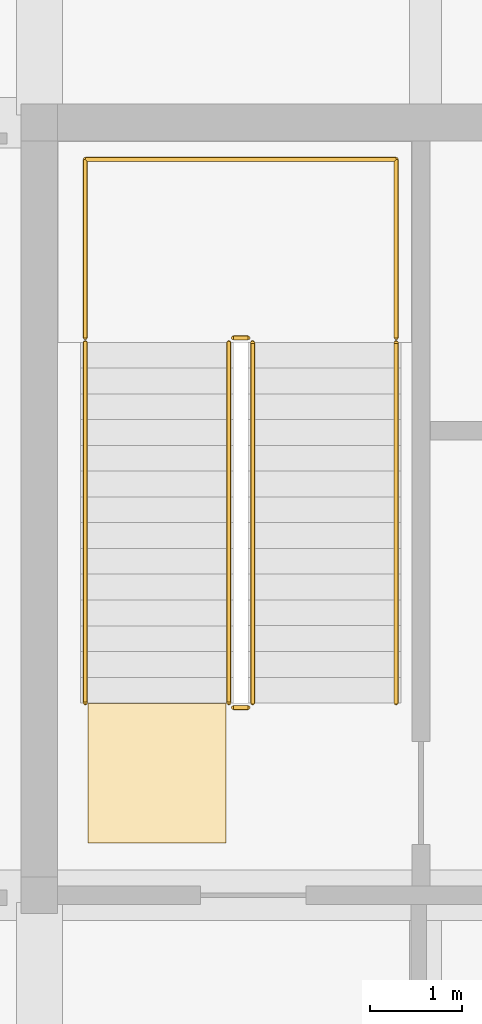
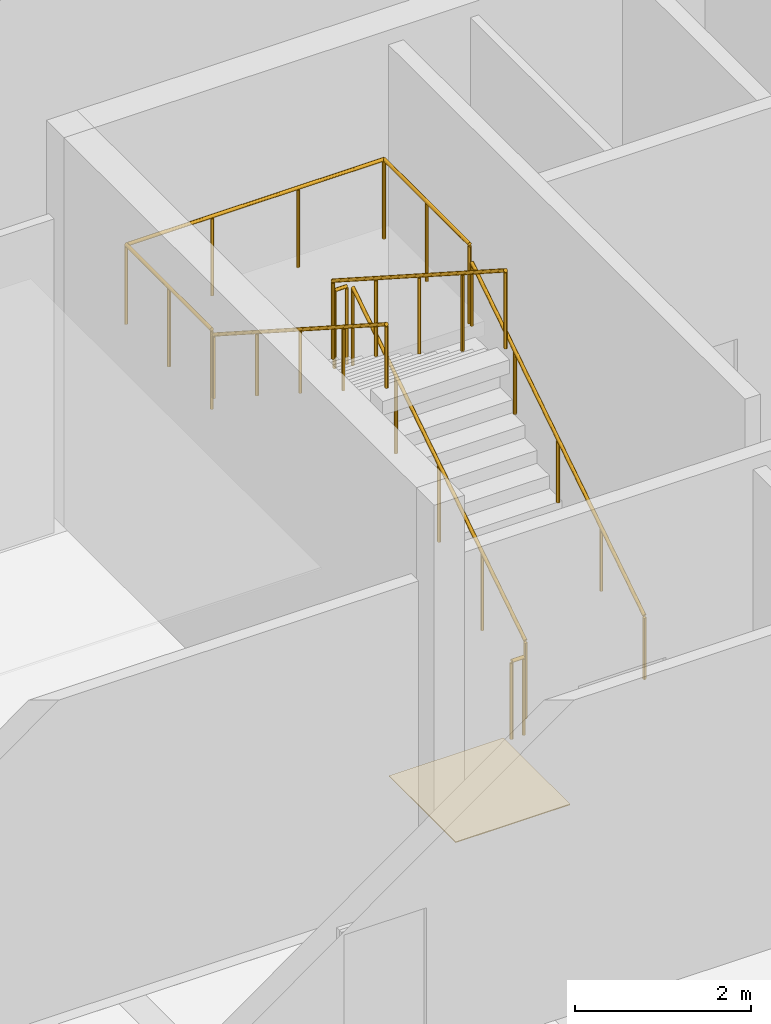
# One storey, part 103 of 140: 7 railings, 1 covering.
"""IFC4 building model written with IfcOpenShell, lengths in metres."""

from ifc_helpers import new_model, si_unit, direction, frame, origin, origin_2d, place, context, subcontext, project, spatial, polyline, circle, outline, extrude, material, layer, layer_set, type_object, element, save


model = new_model("IFC4")

# Units and contexts
model_context = context("Model", 3, precision=1e-05, world=origin(), true_north=direction((0.0, 1.0)))
body_context = subcontext(model_context, "Body", "Model", "MODEL_VIEW")
ifc_project = project(units=[si_unit("LENGTHUNIT", "METRE"), si_unit("AREAUNIT", "SQUARE_METRE"), si_unit("VOLUMEUNIT", "CUBIC_METRE"), si_unit("PLANEANGLEUNIT", "RADIAN"), si_unit("MASSUNIT", "GRAM", prefix="KILO")], contexts=[model_context])

# Site, building, storey
site_placement = place(None, origin())
site = spatial("IfcSite", under=ifc_project, at=site_placement, CompositionType="ELEMENT")
building_placement = place(site_placement, origin())
building = spatial("IfcBuilding", under=site, at=building_placement, Name="Telukmera Botanical Conservatory", CompositionType="ELEMENT")
storey_placement = place(building_placement, origin())
storey = spatial("IfcBuildingStorey", under=building, at=storey_placement, Name="L00", CompositionType="ELEMENT", Elevation=0.0)

# Covering
ifc_material_1 = material(Name="Honed granite non-slip flooring", Category="masonry")
ifc_layer = layer(ifc_material_1, 0.011962890625)
ifc_layer_set = layer_set([ifc_layer], Name="Honed granite non-slip flooring")
covering_type = type_object("IfcCoveringType", Name="COV-FLR-12", PredefinedType="FLOORING", material=ifc_layer_set)
covering_placement = place(storey_placement, origin())
element("IfcCovering", 1, at=covering_placement, inside=storey, type_object=covering_type, Name="L00 ST1 Non-Slip Stair Landing Finish", PredefinedType="FLOORING", context=body_context, shape_type="SweptSolid", body=[
    extrude(outline(polyline([(60.830078125, 26.570068359375), (60.830078125, 28.0849609375), (59.330078125, 28.0849609375), (59.330078125, 26.570068359375), (60.830078125, 26.570068359375)])), origin(), (0.0, 0.0, 1.0), 0.011962890625),
])

# Railings
ifc_material_2 = material(Name="Steel S355", Category="steel")
railing_type_1 = type_object("IfcRailingType", Name="RL-GUARD-1100", PredefinedType="GUARDRAIL", material=ifc_material_2)
railing_1_placement = place(storey_placement, frame((61.1201171875, 28.090087890625, 0.179931640625)))
element("IfcRailing", 2, at=railing_1_placement, inside=storey, type_object=railing_type_1, Name="L00 ST1 stair guard 1", PredefinedType="GUARDRAIL", context=body_context, shape_type="SweptSolid", body=[
    extrude(circle(Radius=0.02392578125, at=origin_2d()), frame((0.0, 0.0, 1.076171875), z_axis=(0.0, 0.841171666519, 0.540768182723), x_axis=(-1.0, 0.0, 0.0)), (0.0, 0.0, 1.0), 4.66015625),
    extrude(circle(Radius=0.02099609375, at=origin_2d()), origin(), (0.0, 0.0, 1.0), 1.052001953125),
    extrude(circle(Radius=0.02099609375, at=origin_2d()), frame((0.0, 0.97998046875, 0.6298828125)), (0.0, 0.0, 1.0), 1.052001953125),
    extrude(circle(Radius=0.02099609375, at=origin_2d()), frame((0.0, 1.9599609375, 1.260009765625)), (0.0, 0.0, 1.0), 1.052001953125),
    extrude(circle(Radius=0.02099609375, at=origin_2d()), frame((0.0, 2.93994140625, 1.89013671875)), (0.0, 0.0, 1.0), 1.052001953125),
    extrude(circle(Radius=0.02099609375, at=origin_2d()), frame((0.0, 3.919921875, 2.52001953125)), (0.0, 0.0, 1.0), 1.052001953125),
])
railing_2_placement = place(storey_placement, frame((61.070068359375, 32.06005859375, 2.699951171875)))
element("IfcRailing", 3, at=railing_2_placement, inside=storey, type_object=railing_type_1, Name="L00 ST1 stair guard 2", PredefinedType="GUARDRAIL", context=body_context, shape_type="SweptSolid", body=[
    extrude(circle(Radius=0.02392578125, at=origin_2d()), frame((0.0, 0.0, 1.076171875), z_axis=(-1.0, 0.0, 0.0), x_axis=(0.0, -1.0, 0.0)), (0.0, 0.0, 1.0), 0.16015625),
    extrude(circle(Radius=0.02099609375, at=origin_2d()), origin(), (0.0, 0.0, 1.0), 1.052001953125),
    extrude(circle(Radius=0.02099609375, at=origin_2d()), frame((-0.16015625, 0.0, 0.0)), (0.0, 0.0, 1.0), 1.052001953125),
])
railing_3_placement = place(storey_placement, frame((60.860107421875, 32.010009765625, 2.8798828125)))
element("IfcRailing", 4, at=railing_3_placement, inside=storey, type_object=railing_type_1, Name="L00 ST1 stair guard 3", PredefinedType="GUARDRAIL", context=body_context, shape_type="SweptSolid", body=[
    extrude(circle(Radius=0.02392578125, at=origin_2d()), frame((0.0, 0.0, 1.076171875), z_axis=(0.0, -0.841171666519, 0.540768182723), x_axis=(1.0, 0.0, 0.0)), (0.0, 0.0, 1.0), 4.66015625),
    extrude(circle(Radius=0.02099609375, at=origin_2d()), origin(), (0.0, 0.0, 1.0), 1.052001953125),
    extrude(circle(Radius=0.02099609375, at=origin_2d()), frame((0.0, -0.97998046875, 0.6298828125)), (0.0, 0.0, 1.0), 1.052001953125),
    extrude(circle(Radius=0.02099609375, at=origin_2d()), frame((0.0, -1.9599609375, 1.260009765625)), (0.0, 0.0, 1.0), 1.052001953125),
    extrude(circle(Radius=0.02099609375, at=origin_2d()), frame((0.0, -2.93994140625, 1.89013671875)), (0.0, 0.0, 1.0), 1.052001953125),
    extrude(circle(Radius=0.02099609375, at=origin_2d()), frame((0.0, -3.919921875, 2.52001953125)), (0.0, 0.0, 1.0), 1.052001953125),
])
railing_4_placement = place(storey_placement, frame((61.070068359375, 28.0400390625, 0.0)))
element("IfcRailing", 5, at=railing_4_placement, inside=storey, type_object=railing_type_1, Name="L00 ST1 stair guard 4", PredefinedType="GUARDRAIL", context=body_context, shape_type="SweptSolid", body=[
    extrude(circle(Radius=0.02392578125, at=origin_2d()), frame((0.0, 0.0, 1.076171875), z_axis=(-1.0, 0.0, 0.0), x_axis=(0.0, -1.0, 0.0)), (0.0, 0.0, 1.0), 0.16015625),
    extrude(circle(Radius=0.02099609375, at=origin_2d()), origin(), (0.0, 0.0, 1.0), 1.052001953125),
    extrude(circle(Radius=0.02099609375, at=origin_2d()), frame((-0.16015625, 0.0, 0.0)), (0.0, 0.0, 1.0), 1.052001953125),
])
railing_5_placement = place(storey_placement, frame((62.679931640625, 32.06005859375, 2.699951171875)))
element("IfcRailing", 6, at=railing_5_placement, inside=storey, type_object=railing_type_1, Name="L00 ST1 half-landing perimeter guard 1", PredefinedType="GUARDRAIL", context=body_context, shape_type="SweptSolid", body=[
    extrude(circle(Radius=0.02392578125, at=origin_2d()), frame((0.0, 0.0, 1.09619140625), z_axis=(0.0, 1.0, 0.0), x_axis=(-1.0, 0.0, 0.0)), (0.0, 0.0, 1.0), 1.93994140625),
    extrude(circle(Radius=0.02392578125, at=origin_2d()), frame((0.0, 1.93994140625, 1.09619140625), z_axis=(-1.0, 0.0, 0.0), x_axis=(0.0, -1.0, 0.0)), (0.0, 0.0, 1.0), 3.3798828125),
    extrude(circle(Radius=0.02392578125, at=origin_2d()), frame((-3.3798828125, 1.93994140625, 1.09619140625), z_axis=(0.0, -1.0, 0.0), x_axis=(1.0, 0.0, 0.0)), (0.0, 0.0, 1.0), 1.93994140625),
    extrude(circle(Radius=0.02099609375, at=origin_2d()), origin(), (0.0, 0.0, 1.0), 1.072021484375),
    extrude(circle(Radius=0.02099609375, at=origin_2d()), frame((0.0, 0.969970703125, 0.0)), (0.0, 0.0, 1.0), 1.072021484375),
    extrude(circle(Radius=0.02099609375, at=origin_2d()), frame((0.0, 1.93994140625, 0.0)), (0.0, 0.0, 1.0), 1.072021484375),
    extrude(circle(Radius=0.02099609375, at=origin_2d()), frame((-1.126708984375, 1.93994140625, 0.0)), (0.0, 0.0, 1.0), 1.072021484375),
    extrude(circle(Radius=0.02099609375, at=origin_2d()), frame((-2.253173828125, 1.93994140625, 0.0)), (0.0, 0.0, 1.0), 1.072021484375),
    extrude(circle(Radius=0.02099609375, at=origin_2d()), frame((-3.3798828125, 1.93994140625, 0.0)), (0.0, 0.0, 1.0), 1.072021484375),
    extrude(circle(Radius=0.02099609375, at=origin_2d()), frame((-3.3798828125, 0.969970703125, 0.0)), (0.0, 0.0, 1.0), 1.072021484375),
    extrude(circle(Radius=0.02099609375, at=origin_2d()), frame((-3.3798828125, 0.0, 0.0)), (0.0, 0.0, 1.0), 1.072021484375),
])
ifc_material_3 = material(Name="Stainless steel 316", Category="steel")
railing_type_2 = type_object("IfcRailingType", Name="RL-HAND-900", PredefinedType="HANDRAIL", material=ifc_material_3)
railing_6_placement = place(storey_placement, frame((62.679931640625, 28.090087890625, 0.179931640625)))
element("IfcRailing", 7, at=railing_6_placement, inside=storey, type_object=railing_type_2, Name="L00 ST1 stair handrail 1", PredefinedType="HANDRAIL", context=body_context, shape_type="SweptSolid", body=[
    extrude(circle(Radius=0.02392578125, at=origin_2d()), frame((0.0, 0.0, 0.8759765625), z_axis=(0.0, 0.841171666519, 0.540768182723), x_axis=(-1.0, 0.0, 0.0)), (0.0, 0.0, 1.0), 4.66015625),
    extrude(circle(Radius=0.02099609375, at=origin_2d()), origin(), (0.0, 0.0, 1.0), 0.851806640625),
    extrude(circle(Radius=0.02099609375, at=origin_2d()), frame((0.0, 0.97998046875, 0.6298828125)), (0.0, 0.0, 1.0), 0.851806640625),
    extrude(circle(Radius=0.02099609375, at=origin_2d()), frame((0.0, 1.9599609375, 1.260009765625)), (0.0, 0.0, 1.0), 0.851806640625),
    extrude(circle(Radius=0.02099609375, at=origin_2d()), frame((0.0, 2.93994140625, 1.89013671875)), (0.0, 0.0, 1.0), 0.851806640625),
    extrude(circle(Radius=0.02099609375, at=origin_2d()), frame((0.0, 3.919921875, 2.52001953125)), (0.0, 0.0, 1.0), 0.851806640625),
])
railing_7_placement = place(storey_placement, frame((59.300048828125, 32.010009765625, 2.8798828125)))
element("IfcRailing", 8, at=railing_7_placement, inside=storey, type_object=railing_type_2, Name="L00 ST1 stair handrail 2", PredefinedType="HANDRAIL", context=body_context, shape_type="SweptSolid", body=[
    extrude(circle(Radius=0.02392578125, at=origin_2d()), frame((0.0, 0.0, 0.8759765625), z_axis=(0.0, -0.841171666519, 0.540768182723), x_axis=(1.0, 0.0, 0.0)), (0.0, 0.0, 1.0), 4.66015625),
    extrude(circle(Radius=0.02099609375, at=origin_2d()), origin(), (0.0, 0.0, 1.0), 0.851806640625),
    extrude(circle(Radius=0.02099609375, at=origin_2d()), frame((0.0, -0.97998046875, 0.6298828125)), (0.0, 0.0, 1.0), 0.851806640625),
    extrude(circle(Radius=0.02099609375, at=origin_2d()), frame((0.0, -1.9599609375, 1.260009765625)), (0.0, 0.0, 1.0), 0.851806640625),
    extrude(circle(Radius=0.02099609375, at=origin_2d()), frame((0.0, -2.93994140625, 1.89013671875)), (0.0, 0.0, 1.0), 0.851806640625),
    extrude(circle(Radius=0.02099609375, at=origin_2d()), frame((0.0, -3.919921875, 2.52001953125)), (0.0, 0.0, 1.0), 0.851806640625),
])

save(model, "model.ifc")
